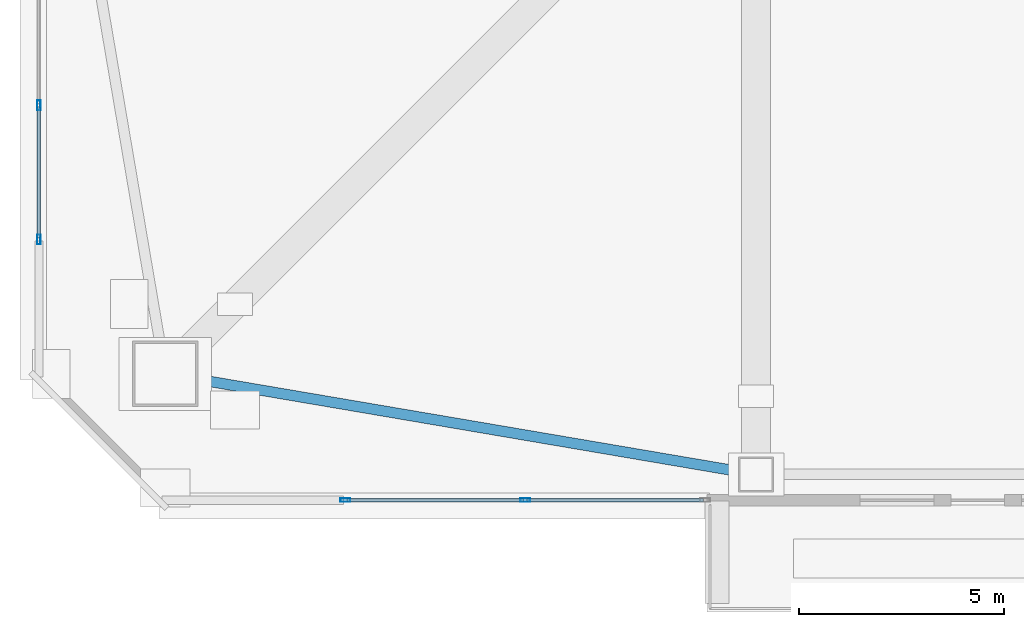
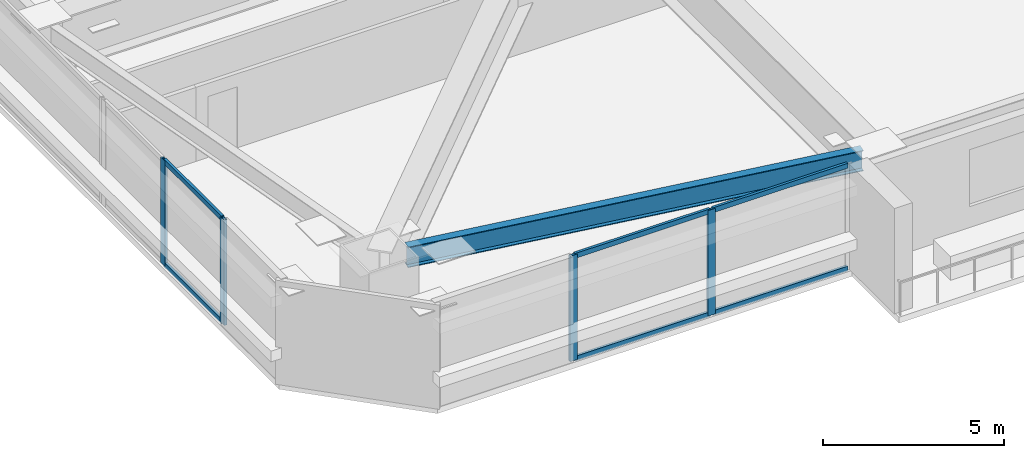
# One storey, part 3 of 48: 10 members, 1 beam, 2 elements without a shape of their own.
"""IFC4 building model written with IfcOpenShell, lengths in metres."""

import ifcopenshell
import ifcopenshell.guid

model = None  # the IFC model being written
_history = None  # IfcOwnerHistory: only IFC2X3 demands one
_inside = {}  # id of a spatial element -> (the spatial element, [elements in it])
_under = {}  # id of a project, library or spatial element -> (it, [spatial elements below it])
_declared = {}  # id of a project -> (the project, [libraries it declares])
_typed = {}  # id of a type object -> (the type object, [elements of that type])
_made_of = {}  # id of a material, layer set ... -> (it, [elements and type objects made of it])


def new_model(schema):
    """Start an empty IFC model of exactly this schema.

    Asked for "IFC4X3", IfcOpenShell would pick the latest addendum, in which some entities
    have other attributes; the version numbers below select the first issue.
    IFC2X3 requires an IfcOwnerHistory on every rooted entity: one is made here for all.
    """
    global model, _history
    if schema == "IFC4X3":
        model = ifcopenshell.file(schema_version=(4, 3, 0, 0))
    else:
        model = ifcopenshell.file(schema=schema)
    _inside.clear()
    _under.clear()
    _declared.clear()
    _typed.clear()
    _made_of.clear()
    _history = None
    if model.schema == "IFC2X3":
        org = make("IfcOrganization", Name="unknown")
        user = make(
            "IfcPersonAndOrganization",
            ThePerson=make("IfcPerson", FamilyName="unknown"),
            TheOrganization=org,
        )
        app = make(
            "IfcApplication",
            ApplicationDeveloper=org,
            Version="unknown",
            ApplicationFullName="unknown",
            ApplicationIdentifier="unknown",
        )
        _history = make(
            "IfcOwnerHistory",
            OwningUser=user,
            OwningApplication=app,
            ChangeAction="ADDED",
            CreationDate=0,
        )
    return model


def make(cls, **values):
    """One entity of the class cls with the attributes given. An attribute that is None is left unset."""
    return model.create_entity(
        cls, **{name: value for name, value in values.items() if value is not None}
    )


def rooted(cls, **values):
    """An entity with a GlobalId (a new one), such as an element, a storey or a relation."""
    return make(cls, GlobalId=ifcopenshell.guid.new(), OwnerHistory=_history, **values)


def si_unit(unit_type, name, prefix=None):
    """IfcSIUnit, for example si_unit("LENGTHUNIT", "METRE", prefix="MILLI")."""
    return make("IfcSIUnit", UnitType=unit_type, Prefix=prefix, Name=name)


def assignment(units):
    """IfcUnitAssignment: the units of a project."""
    return None if units is None else make("IfcUnitAssignment", Units=units)


def point(xyz):
    """IfcCartesianPoint."""
    return None if xyz is None else make("IfcCartesianPoint", Coordinates=xyz)


def direction(xyz):
    """IfcDirection."""
    return None if xyz is None else make("IfcDirection", DirectionRatios=xyz)


def frame(location, z_axis=None, x_axis=None):
    """IfcAxis2Placement3D, a coordinate frame: its origin and axes. An axis left out is left unset."""
    return make(
        "IfcAxis2Placement3D",
        Location=point(location),
        Axis=direction(z_axis),
        RefDirection=direction(x_axis),
    )


def frame_2d(location, x_axis=None):
    """IfcAxis2Placement2D, a coordinate frame in the plane: its origin and x axis."""
    return make(
        "IfcAxis2Placement2D", Location=point(location), RefDirection=direction(x_axis)
    )


def origin():
    """The frame at (0, 0, 0) with its axes left unset."""
    return frame((0.0, 0.0, 0.0))


def origin_2d():
    """The frame at (0, 0) in the plane with its x axis left unset."""
    return frame_2d((0.0, 0.0))


def place(relative_to, where):
    """IfcLocalPlacement: puts the frame where relative to a parent placement (None: the world)."""
    return make(
        "IfcLocalPlacement", PlacementRelTo=relative_to, RelativePlacement=where
    )


def context(
    kind, dimensions, precision=None, world=None, true_north=None, identifier=None
):
    """IfcGeometricRepresentationContext, for example the 3D "Model" context."""
    return make(
        "IfcGeometricRepresentationContext",
        ContextIdentifier=identifier,
        ContextType=kind,
        CoordinateSpaceDimension=dimensions,
        Precision=precision,
        WorldCoordinateSystem=world,
        TrueNorth=true_north,
    )


def subcontext(parent, identifier, kind, view, scale=None):
    """IfcGeometricRepresentationSubContext, for example "Body" below "Model"."""
    return make(
        "IfcGeometricRepresentationSubContext",
        ContextIdentifier=identifier,
        ContextType=kind,
        ParentContext=parent,
        TargetScale=scale,
        TargetView=view,
    )


def project(units=None, contexts=None):
    """IfcProject with its units and contexts."""
    return rooted(
        "IfcProject",
        Name="project",
        RepresentationContexts=contexts,
        UnitsInContext=assignment(units),
    )


def spatial(cls, under=None, at=None, **own):
    """A site, building, storey or space (cls), placed at a placement, below another one or the project."""
    s = rooted(cls, ObjectPlacement=at, **own)
    if under is not None:
        _under.setdefault(under.id(), (under, []))[1].append(s)
    return s


def profile(cls, at=None, kind="AREA", **sizes):
    """A parametric profile (cls). Its sizes go by their IFC names, for example OverallWidth=200.0."""
    return make(cls, ProfileType=kind, Position=at, **sizes)


def hollow_rectangle(**sizes):
    """IfcRectangleHollowProfileDef."""
    return profile("IfcRectangleHollowProfileDef", **sizes)


def i_section(**sizes):
    """IfcIShapeProfileDef."""
    return profile("IfcIShapeProfileDef", **sizes)


def extrude(swept, where, along, depth):
    """IfcExtrudedAreaSolid: the profile swept, set in the frame where, extruded along a direction by depth."""
    return make(
        "IfcExtrudedAreaSolid",
        SweptArea=swept,
        Position=where,
        ExtrudedDirection=direction(along),
        Depth=depth,
    )


def shape(context_of_items, identifier, shape_type, items):
    """IfcShapeRepresentation: the items that make up one representation, for example the "Body"."""
    return make(
        "IfcShapeRepresentation",
        ContextOfItems=context_of_items,
        RepresentationIdentifier=identifier,
        RepresentationType=shape_type,
        Items=items,
    )


def material(Name=None, Category=None):
    """IfcMaterial."""
    return make("IfcMaterial", Name=Name, Category=Category)


def material_profile(
    of_material, cross_section, Name=None, Category=None, Priority=None
):
    """IfcMaterialProfile: a cross section and its material."""
    return make(
        "IfcMaterialProfile",
        Name=Name,
        Material=of_material,
        Profile=cross_section,
        Priority=Priority,
        Category=Category,
    )


def profile_set(profiles, Name=None, composite=None):
    """IfcMaterialProfileSet."""
    return make(
        "IfcMaterialProfileSet",
        Name=Name,
        MaterialProfiles=profiles,
        CompositeProfile=composite,
    )


def made_of(thing, what):
    """Note that an element or type object is made of a material, layer set ...; save() writes the relation."""
    if what is not None:
        _made_of.setdefault(what.id(), (what, []))[1].append(thing)
    return thing


def type_object(cls, material=None, **own):
    """A type object (cls), such as IfcWallType, which elements share."""
    return made_of(rooted(cls, **own), material)


def element(
    cls,
    number,
    at=None,
    inside=None,
    cuts=None,
    type_object=None,
    material=None,
    context=None,
    identifier="Body",
    shape_type=None,
    held_by="IfcProductDefinitionShape",
    body=None,
    shapes=None,
    **own,
):
    """One element of the class cls, such as IfcWall. Its Tag is "e" and its number.

    at: its placement. inside: the storey or other place that contains it. cuts: it is an
    opening in that element (IfcRelVoidsElement). A single representation is given by context,
    identifier, shape_type and body (its items); several are given by shapes. held_by: the class
    of the entity that holds the representations. save() writes the other relations.
    """
    e = rooted(cls, Tag="e%d" % number, ObjectPlacement=at, **own)
    if body is not None:
        shapes = [shape(context, identifier, shape_type, body)]
    if shapes is not None:
        e.Representation = make(held_by, Representations=shapes)
    if inside is not None:
        _inside.setdefault(inside.id(), (inside, []))[1].append(e)
    if cuts is not None:
        rooted(
            "IfcRelVoidsElement", RelatingBuildingElement=cuts, RelatedOpeningElement=e
        )
    if type_object is not None:
        _typed.setdefault(type_object.id(), (type_object, []))[1].append(e)
    return made_of(e, material)


def aggregate(whole, parts):
    """IfcRelAggregates: a whole, such as a stair, and the parts it consists of."""
    return rooted("IfcRelAggregates", RelatingObject=whole, RelatedObjects=parts)


def save(model, path):
    """Write the relations noted so far, then the file.

    IfcRelAggregates (storeys below a building ...), IfcRelContainedInSpatialStructure (elements
    in a storey), IfcRelDefinesByType, IfcRelAssociatesMaterial and IfcRelDeclares: one each for
    every whole, place, type object, material and project.
    """
    for whole, parts in _under.values():
        aggregate(whole, parts)
    for where, things in _inside.values():
        rooted(
            "IfcRelContainedInSpatialStructure",
            RelatedElements=things,
            RelatingStructure=where,
        )
    for kind, things in _typed.values():
        rooted("IfcRelDefinesByType", RelatedObjects=things, RelatingType=kind)
    for what, things in _made_of.values():
        rooted("IfcRelAssociatesMaterial", RelatedObjects=things, RelatingMaterial=what)
    for by, libraries in _declared.values():
        rooted("IfcRelDeclares", RelatingContext=by, RelatedDefinitions=libraries)
    model.write(path)


model = new_model("IFC4")

# Units and contexts
model_context = context("Model", 3, precision=1e-05, world=origin(), true_north=direction((0.0, 1.0)))
body_context = subcontext(model_context, "Body", "Model", "MODEL_VIEW")
ifc_project = project(units=[si_unit("LENGTHUNIT", "METRE"), si_unit("AREAUNIT", "SQUARE_METRE"), si_unit("VOLUMEUNIT", "CUBIC_METRE"), si_unit("PLANEANGLEUNIT", "RADIAN"), si_unit("MASSUNIT", "GRAM", prefix="KILO")], contexts=[model_context])

# Site, building, storey
site_placement = place(None, origin())
site = spatial("IfcSite", under=ifc_project, at=site_placement, CompositionType="ELEMENT")
building_placement = place(site_placement, origin())
building = spatial("IfcBuilding", under=site, at=building_placement, Name="Tashvorn Skyway Center", CompositionType="ELEMENT")
storey_placement = place(building_placement, frame((0.0, 0.0, 63.64990234375)))
storey = spatial("IfcBuildingStorey", under=building, at=storey_placement, Name="L16", CompositionType="ELEMENT", Elevation=63.64990234375)

# Beam
ifc_material_1 = material(Name="Steel ASTM A992 Grade 50", Category="steel")
ifc_material_profile_1 = material_profile(ifc_material_1, i_section(OverallWidth=0.256103515625, OverallDepth=0.693115234375, WebThickness=0.014404296875, FlangeThickness=0.023681640625, at=origin_2d()), Name="W27X114")
ifc_profile_set_1 = profile_set([ifc_material_profile_1], Name="Steel ASTM A992 Grade 50")
beam_type = type_object("IfcBeamType", Name="BM-SPANDREL-W27X114", PredefinedType="SPANDREL", material=ifc_profile_set_1)
beam_placement = place(storey_placement, frame((22.983642578125, 12.066650390625, 3.003662109375), z_axis=(0.985835025551, -0.16771792509, 0.0), x_axis=(0.16771792509, 0.985835025551, 0.0)))
element("IfcBeam", 1, at=beam_placement, inside=storey, type_object=beam_type, Name="Tower 1 L16 Spandrel Beam 01", PredefinedType="SPANDREL", context=body_context, shape_type="SweptSolid", body=[
    extrude(i_section(OverallWidth=0.256103515625, OverallDepth=0.693115234375, WebThickness=0.014404296875, FlangeThickness=0.023681640625, at=origin_2d()), origin(), (0.0, 0.0, 1.0), 13.39208984375),
])

# Curtain wall, members
ifc_material_2 = material(Name="Thermally broken bronze-anodized aluminium 6063-T6", Category="aluminium")
curtain_wall_type = type_object("IfcCurtainWallType", Name="CW-CW-Z1", PredefinedType="NOTDEFINED", material=ifc_material_2)
curtain_wall_1_placement = place(storey_placement, origin())
curtain_wall_1 = element("IfcCurtainWall", 2, at=curtain_wall_1_placement, inside=storey, type_object=curtain_wall_type, Name="Tower 1 L16 South Curtain Wall R Glazing Group 1", PredefinedType="NOTDEFINED")
ifc_material_profile_2 = material_profile(ifc_material_2, hollow_rectangle(XDim=0.0849609375, YDim=0.239990234375, WallThickness=0.0048828125, at=origin_2d()), Name="ALU-MULL-85x240")
ifc_profile_set_2 = profile_set([ifc_material_profile_2], Name="Thermally broken bronze-anodized aluminium 6063-T6")
member_type_1 = type_object("IfcMemberType", Name="CWM-CW-Z1", PredefinedType="MULLION", material=ifc_profile_set_2)
member_1_placement = place(storey_placement, frame((30.973388671875, 9.1201171875, 0.0), z_axis=(0.0, 0.0, 1.0), x_axis=(0.0, -1.0, 0.0)))
member_1 = element("IfcMember", 3, at=member_1_placement, type_object=member_type_1, Name="CW-Z1 mullion 2", PredefinedType="MULLION", context=body_context, shape_type="SweptSolid", body=[
    extrude(hollow_rectangle(XDim=0.0849609375, YDim=0.239990234375, WallThickness=0.0048828125, at=origin_2d()), origin(), (0.0, 0.0, 1.0), 3.550048828125),
])
member_2_placement = place(storey_placement, frame((26.589111328125, 9.1201171875, 0.0), z_axis=(0.0, 0.0, 1.0), x_axis=(0.0, -1.0, 0.0)))
member_2 = element("IfcMember", 4, at=member_2_placement, type_object=member_type_1, Name="CW-Z1 mullion 3", PredefinedType="MULLION", context=body_context, shape_type="SweptSolid", body=[
    extrude(hollow_rectangle(XDim=0.0849609375, YDim=0.239990234375, WallThickness=0.0048828125, at=origin_2d()), origin(), (0.0, 0.0, 1.0), 3.550048828125),
])

curtain_wall_2_placement = place(storey_placement, origin())
curtain_wall_2 = element("IfcCurtainWall", 5, at=curtain_wall_2_placement, inside=storey, type_object=curtain_wall_type, Name="Tower 1 L16 West Unitised Curtain Wall Glazing Group 1", PredefinedType="NOTDEFINED")
member_3_placement = place(storey_placement, frame((19.1201171875, 15.475830078125, 0.0), z_axis=(0.0, 0.0, 1.0), x_axis=(-1.0, 0.0, 0.0)))
member_3 = element("IfcMember", 6, at=member_3_placement, type_object=member_type_1, Name="CW-Z1 mullion 1", PredefinedType="MULLION", context=body_context, shape_type="SweptSolid", body=[
    extrude(hollow_rectangle(XDim=0.0849609375, YDim=0.239990234375, WallThickness=0.0048828125, at=origin_2d()), origin(), (0.0, 0.0, 1.0), 3.550048828125),
])
member_4_placement = place(storey_placement, frame((19.1201171875, 18.74658203125, 0.0), z_axis=(0.0, 0.0, 1.0), x_axis=(-1.0, 0.0, 0.0)))
member_4 = element("IfcMember", 7, at=member_4_placement, type_object=member_type_1, Name="CW-Z1 mullion 2", PredefinedType="MULLION", context=body_context, shape_type="SweptSolid", body=[
    extrude(hollow_rectangle(XDim=0.0849609375, YDim=0.239990234375, WallThickness=0.0048828125, at=origin_2d()), origin(), (0.0, 0.0, 1.0), 3.550048828125),
])

# Member
ifc_material_profile_3 = material_profile(ifc_material_2, hollow_rectangle(XDim=0.0849609375, YDim=0.1650390625, WallThickness=0.0048828125, at=origin_2d()), Name="ALU-TRAN-85x165")
ifc_profile_set_3 = profile_set([ifc_material_profile_3], Name="Thermally broken bronze-anodized aluminium 6063-T6")
member_type_2 = type_object("IfcMemberType", Name="CWT-CW-Z1", PredefinedType="USERDEFINED", material=ifc_profile_set_3)
member_5_placement = place(storey_placement, frame((35.31494140625, 9.1201171875, 0.04248046875), z_axis=(-1.0, 0.0, 0.0), x_axis=(0.0, -1.0, 0.0)))
member_5 = element("IfcMember", 8, at=member_5_placement, type_object=member_type_2, Name="CW-Z1 transom 1.1", ObjectType="TRANSOM", PredefinedType="USERDEFINED", context=body_context, shape_type="SweptSolid", body=[
    extrude(hollow_rectangle(XDim=0.0849609375, YDim=0.1650390625, WallThickness=0.0048828125, at=origin_2d()), origin(), (0.0, 0.0, 1.0), 4.299072265625),
])

member_6_placement = place(storey_placement, frame((35.31494140625, 9.1201171875, 3.507568359375), z_axis=(-1.0, 0.0, 0.0), x_axis=(0.0, -1.0, 0.0)))
member_6 = element("IfcMember", 9, at=member_6_placement, type_object=member_type_2, Name="CW-Z1 transom 1.2", ObjectType="TRANSOM", PredefinedType="USERDEFINED", context=body_context, shape_type="SweptSolid", body=[
    extrude(hollow_rectangle(XDim=0.0849609375, YDim=0.1650390625, WallThickness=0.0048828125, at=origin_2d()), origin(), (0.0, 0.0, 1.0), 4.299072265625),
])

member_7_placement = place(storey_placement, frame((30.930908203125, 9.1201171875, 0.04248046875), z_axis=(-1.0, 0.0, 0.0), x_axis=(0.0, -1.0, 0.0)))
member_7 = element("IfcMember", 10, at=member_7_placement, type_object=member_type_2, Name="CW-Z1 transom 2.1", ObjectType="TRANSOM", PredefinedType="USERDEFINED", context=body_context, shape_type="SweptSolid", body=[
    extrude(hollow_rectangle(XDim=0.0849609375, YDim=0.1650390625, WallThickness=0.0048828125, at=origin_2d()), origin(), (0.0, 0.0, 1.0), 4.29931640625),
])

member_8_placement = place(storey_placement, frame((30.930908203125, 9.1201171875, 3.507568359375), z_axis=(-1.0, 0.0, 0.0), x_axis=(0.0, -1.0, 0.0)))
member_8 = element("IfcMember", 11, at=member_8_placement, type_object=member_type_2, Name="CW-Z1 transom 2.2", ObjectType="TRANSOM", PredefinedType="USERDEFINED", context=body_context, shape_type="SweptSolid", body=[
    extrude(hollow_rectangle(XDim=0.0849609375, YDim=0.1650390625, WallThickness=0.0048828125, at=origin_2d()), origin(), (0.0, 0.0, 1.0), 4.29931640625),
])

aggregate(curtain_wall_1, [member_1, member_2, member_5, member_6, member_7, member_8])

member_9_placement = place(storey_placement, frame((19.1201171875, 15.518310546875, 0.04248046875), z_axis=(0.0, 1.0, 0.0), x_axis=(-1.0, 0.0, 0.0)))
member_9 = element("IfcMember", 12, at=member_9_placement, type_object=member_type_2, Name="CW-Z1 transom 1.1", ObjectType="TRANSOM", PredefinedType="USERDEFINED", context=body_context, shape_type="SweptSolid", body=[
    extrude(hollow_rectangle(XDim=0.0849609375, YDim=0.1650390625, WallThickness=0.0048828125, at=origin_2d()), origin(), (0.0, 0.0, 1.0), 3.185791015625),
])

member_10_placement = place(storey_placement, frame((19.1201171875, 15.518310546875, 3.507568359375), z_axis=(0.0, 1.0, 0.0), x_axis=(-1.0, 0.0, 0.0)))
member_10 = element("IfcMember", 13, at=member_10_placement, type_object=member_type_2, Name="CW-Z1 transom 1.2", ObjectType="TRANSOM", PredefinedType="USERDEFINED", context=body_context, shape_type="SweptSolid", body=[
    extrude(hollow_rectangle(XDim=0.0849609375, YDim=0.1650390625, WallThickness=0.0048828125, at=origin_2d()), origin(), (0.0, 0.0, 1.0), 3.185791015625),
])

aggregate(curtain_wall_2, [member_3, member_4, member_9, member_10])

save(model, "model.ifc")
